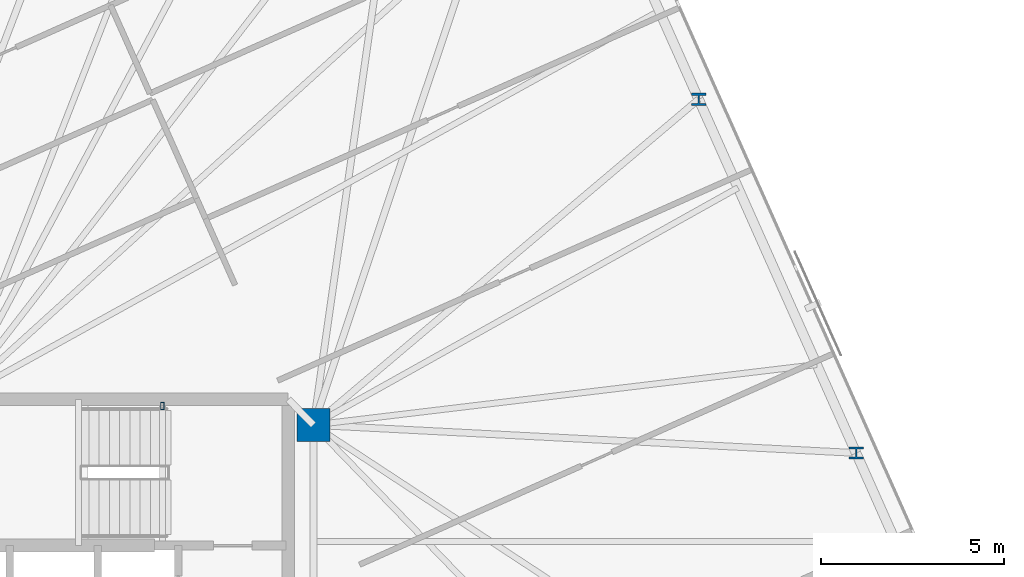
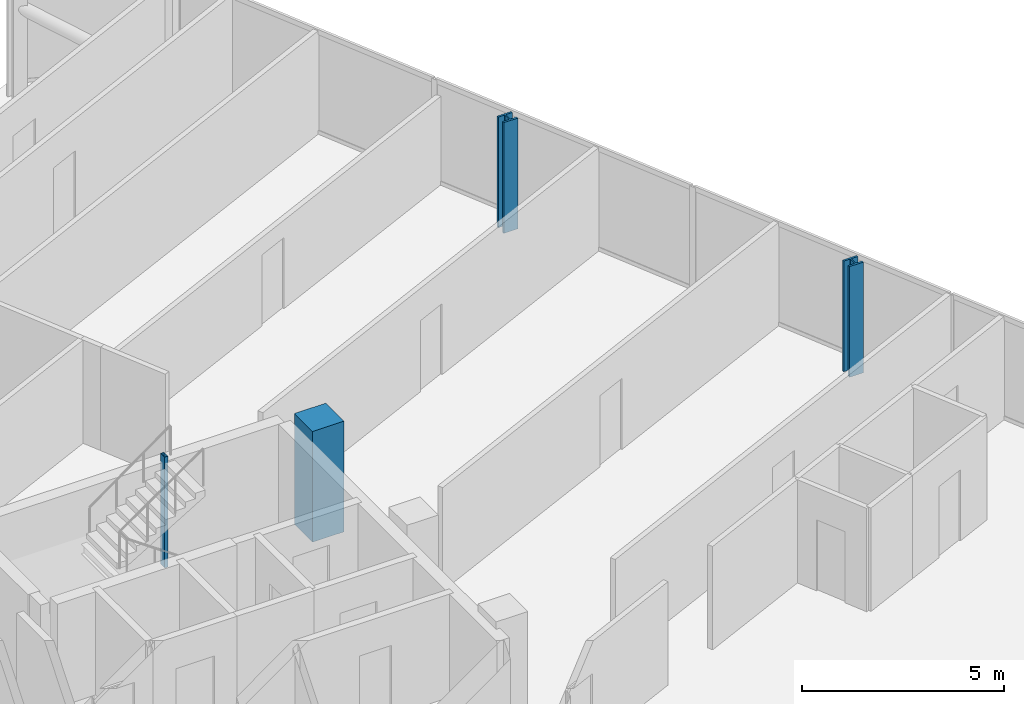
# One storey, part 3 of 19: 4 columns.
"""IFC4 building model written with IfcOpenShell, lengths in metres."""

from ifc_helpers import new_model, si_unit, direction, frame, origin, origin_2d, place, context, subcontext, project, spatial, rectangle, hollow_rectangle, i_section, extrude, material, material_profile, profile_set, type_object, element, save


model = new_model("IFC4")

# Units and contexts
model_context = context("Model", 3, precision=1e-05, world=origin(), true_north=direction((0.0, 1.0)))
body_context = subcontext(model_context, "Body", "Model", "MODEL_VIEW")
ifc_project = project(units=[si_unit("LENGTHUNIT", "METRE"), si_unit("AREAUNIT", "SQUARE_METRE"), si_unit("VOLUMEUNIT", "CUBIC_METRE"), si_unit("PLANEANGLEUNIT", "RADIAN"), si_unit("MASSUNIT", "GRAM", prefix="KILO")], contexts=[model_context])

# Site, building, storey
site_placement = place(None, origin())
site = spatial("IfcSite", under=ifc_project, at=site_placement, CompositionType="ELEMENT")
building_placement = place(site_placement, origin())
building = spatial("IfcBuilding", under=site, at=building_placement, Name="Menara Jurai Vektor", CompositionType="ELEMENT")
storey_placement = place(building_placement, frame((0.0, 0.0, 262.199951171875)))
storey = spatial("IfcBuildingStorey", under=building, at=storey_placement, Name="L70", CompositionType="ELEMENT", Elevation=262.199951171875)

# Columns
ifc_material_1 = material(Name="Concrete C50/60", Category="concrete")
ifc_material_profile_1 = material_profile(ifc_material_1, rectangle(XDim=0.89990234375, YDim=0.89990234375, at=origin_2d()), Name="RC 900x900")
ifc_profile_set_1 = profile_set([ifc_material_profile_1], Name="Concrete C50/60")
column_type_1 = type_object("IfcColumnType", Name="STR-COL-RC900", PredefinedType="COLUMN", material=ifc_profile_set_1)
column_1_placement = place(storey_placement, frame((15.25, 4.89990234375, 0.0), z_axis=(0.0, 0.0, 1.0), x_axis=(1.0, 0.0, 0.0)))
element("IfcColumn", 1, at=column_1_placement, inside=storey, type_object=column_type_1, Name="Core Spine Column CE-NE L70", PredefinedType="COLUMN", context=body_context, shape_type="SweptSolid", body=[
    extrude(rectangle(XDim=0.89990234375, YDim=0.89990234375, at=origin_2d()), origin(), (0.0, 0.0, 1.0), 3.35009765625),
])
ifc_material_2 = material(Name="Steel S355", Category="steel")
ifc_material_profile_2 = material_profile(ifc_material_2, hollow_rectangle(XDim=0.10009765625, YDim=0.199951171875, WallThickness=0.008056640625, at=origin_2d()), Name="RHS 200x100x8")
ifc_profile_set_2 = profile_set([ifc_material_profile_2], Name="Steel S355")
column_type_2 = type_object("IfcColumnType", Name="STR-COL-STAIR", PredefinedType="COLUMN", material=ifc_profile_set_2)
column_2_placement = place(storey_placement, frame((11.1201171875, 5.419921875, 0.0), z_axis=(0.0, 0.0, 1.0), x_axis=(1.0, 0.0, 0.0)))
element("IfcColumn", 2, at=column_2_placement, inside=storey, type_object=column_type_2, Name="Stair Well Header Column ST2-P2 L70", PredefinedType="COLUMN", context=body_context, shape_type="SweptSolid", body=[
    extrude(hollow_rectangle(XDim=0.10009765625, YDim=0.199951171875, WallThickness=0.008056640625, at=origin_2d()), origin(), (0.0, 0.0, 1.0), 3.35009765625),
])
ifc_material_3 = material(Name="Steel S460", Category="steel")
ifc_material_profile_3 = material_profile(ifc_material_3, i_section(OverallWidth=0.40087890625, OverallDepth=0.3349609375, WebThickness=0.035888671875, FlangeThickness=0.05810546875, FilletRadius=0.014892578125, at=origin_2d()), Name="HD 400x463")
ifc_profile_set_3 = profile_set([ifc_material_profile_3], Name="Steel S460")
column_type_3 = type_object("IfcColumnType", Name="STR-EXO-BLK5", PredefinedType="COLUMN", material=ifc_profile_set_3)
for number, where, z_axis, x_axis, name in (
    (3, (30.086181640625, 4.13330078125, 0.0), (0.0, 0.0, 1.0), (1.0, 0.0, 0.0), "Exoskeleton Column BLK5-E2 L70"),
    (4, (25.781005859375, 13.80322265625, 0.0), (0.0, 0.0, 1.0), (1.0, 0.0, 0.0), "Exoskeleton Column BLK5-E3 L70"),
):
    element("IfcColumn", number, at=place(storey_placement, frame(where, z_axis=z_axis, x_axis=x_axis)), inside=storey, type_object=column_type_3, Name=name, PredefinedType="COLUMN", context=body_context, shape_type="SweptSolid", body=[
        extrude(i_section(OverallWidth=0.40087890625, OverallDepth=0.3349609375, WebThickness=0.035888671875, FlangeThickness=0.05810546875, FilletRadius=0.014892578125, at=origin_2d()), origin(), (0.0, 0.0, 1.0), 3.35009765625),
    ])

save(model, "model.ifc")
